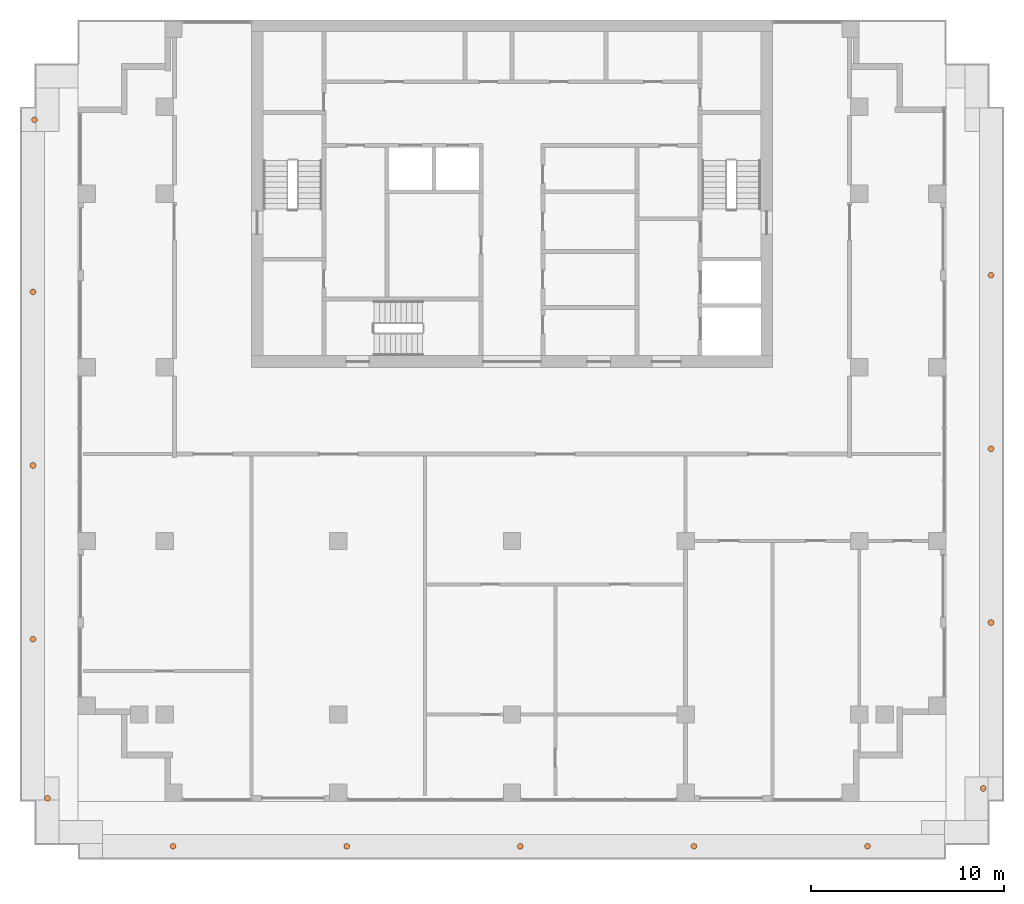
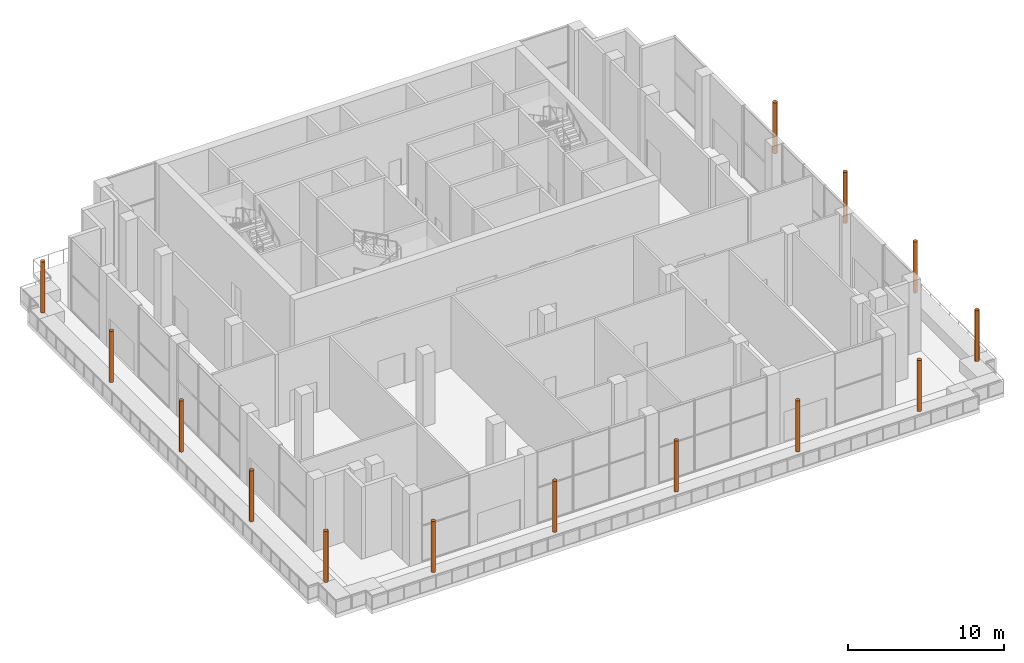
# One storey, part 13 of 13: 14 geographic elements.
"""IFC4 building model written with IfcOpenShell, lengths in metres."""

from ifc_helpers import new_model, si_unit, direction, frame, origin, origin_2d, place, context, subcontext, project, spatial, circle, extrude, material, type_object, element, save


model = new_model("IFC4")

# Units and contexts
model_context = context("Model", 3, precision=1e-05, world=origin(), true_north=direction((0.0, 1.0)))
body_context = subcontext(model_context, "Body", "Model", "MODEL_VIEW")
ifc_project = project(units=[si_unit("LENGTHUNIT", "METRE"), si_unit("AREAUNIT", "SQUARE_METRE"), si_unit("VOLUMEUNIT", "CUBIC_METRE"), si_unit("PLANEANGLEUNIT", "RADIAN"), si_unit("MASSUNIT", "GRAM", prefix="KILO")], contexts=[model_context])

# Site, building, storey
site_placement = place(None, origin())
site = spatial("IfcSite", under=ifc_project, at=site_placement, CompositionType="ELEMENT")
building_placement = place(site_placement, origin())
building = spatial("IfcBuilding", under=site, at=building_placement, Name="Orbiselva Terraces", CompositionType="ELEMENT")
storey_placement = place(building_placement, frame((0.0, 0.0, 297.4)))
storey = spatial("IfcBuildingStorey", under=building, at=storey_placement, Name="L74", CompositionType="ELEMENT", Elevation=297.4)

# Geographic elements
ifc_material = material(Name="Planted tree")
geographic_element_type = type_object("IfcGeographicElementType", Name="ENV-TREE-300x4000", PredefinedType="USERDEFINED", material=ifc_material)
for number, where, z_axis, x_axis, name in (
    (1, (-24.75, 17.33, 4.9), (0.0, 0.0, -1.0), (1.0, 0.0, 0.0), "Tree L74"),
    (2, (-24.83, 8.41, 4.9), (0.0, 0.0, -1.0), (1.0, 0.0, 0.0), "Tree L74"),
    (3, (-24.83, -0.59, 4.9), (0.0, 0.0, -1.0), (1.0, 0.0, 0.0), "Tree L74"),
    (4, (-24.83, -9.59, 4.9), (0.0, 0.0, -1.0), (1.0, 0.0, 0.0), "Tree L74"),
    (5, (-24.08, -17.84, 4.9), (0.0, 0.0, -1.0), (1.0, 0.0, 0.0), "Tree L74"),
    (6, (-17.57, -20.33, 4.9), (0.0, 0.0, -1.0), (1.0, 0.0, 0.0), "Tree L74"),
    (7, (-8.57, -20.33, 4.9), (0.0, 0.0, -1.0), (1.0, 0.0, 0.0), "Tree L74"),
    (8, (0.43, -20.33, 4.9), (0.0, 0.0, -1.0), (1.0, 0.0, 0.0), "Tree L74"),
    (9, (9.43, -20.33, 4.9), (0.0, 0.0, -1.0), (1.0, 0.0, 0.0), "Tree L74"),
    (10, (18.43, -20.33, 4.9), (0.0, 0.0, -1.0), (1.0, 0.0, 0.0), "Tree L74"),
    (11, (24.43, -17.33, 4.9), (0.0, 0.0, -1.0), (1.0, 0.0, 0.0), "Tree L74"),
    (12, (24.83, -8.73, 4.9), (0.0, 0.0, -1.0), (1.0, 0.0, 0.0), "Tree L74"),
    (13, (24.83, 0.27, 4.9), (0.0, 0.0, -1.0), (1.0, 0.0, 0.0), "Tree L74"),
    (14, (24.83, 9.27, 4.9), (0.0, 0.0, -1.0), (1.0, 0.0, 0.0), "Tree L74"),
):
    element("IfcGeographicElement", number, at=place(storey_placement, frame(where, z_axis=z_axis, x_axis=x_axis)), inside=storey, type_object=geographic_element_type, Name=name, ObjectType="TREE", PredefinedType="USERDEFINED", context=body_context, shape_type="SweptSolid", body=[
        extrude(circle(Radius=0.15, at=origin_2d()), origin(), (0.0, 0.0, 1.0), 4.0),
    ])

save(model, "model.ifc")
